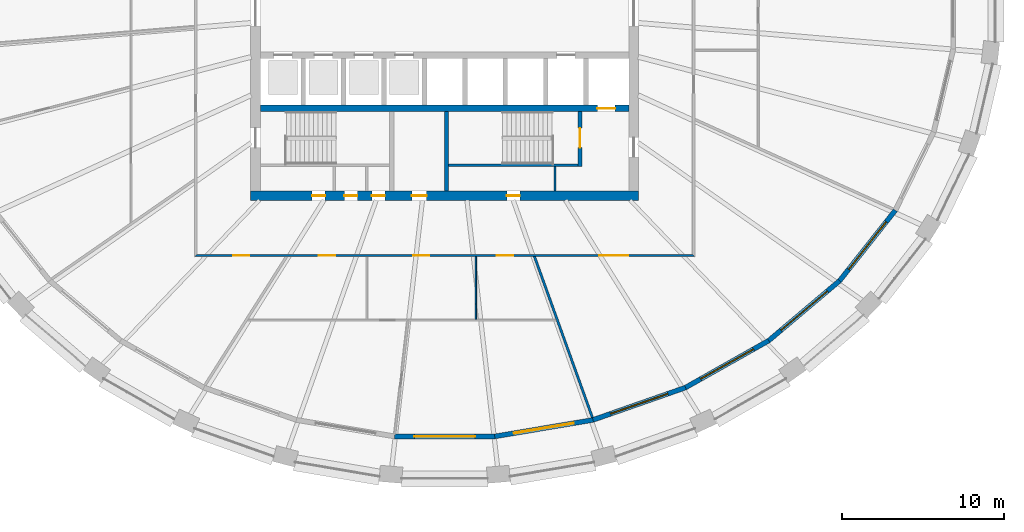
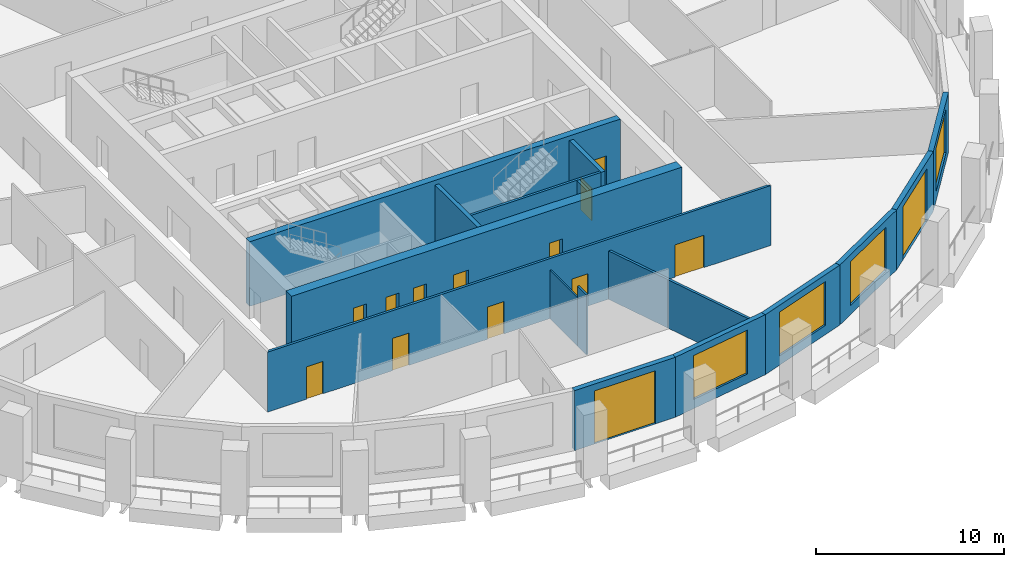
# One storey, part 4 of 11: 16 walls, 14 doors, 4 windows, 18 openings.
"""IFC4 building model written with IfcOpenShell, lengths in metres."""

import ifcopenshell
import ifcopenshell.guid

model = None  # the IFC model being written
_history = None  # IfcOwnerHistory: only IFC2X3 demands one
_inside = {}  # id of a spatial element -> (the spatial element, [elements in it])
_under = {}  # id of a project, library or spatial element -> (it, [spatial elements below it])
_declared = {}  # id of a project -> (the project, [libraries it declares])
_typed = {}  # id of a type object -> (the type object, [elements of that type])
_made_of = {}  # id of a material, layer set ... -> (it, [elements and type objects made of it])


def new_model(schema):
    """Start an empty IFC model of exactly this schema.

    Asked for "IFC4X3", IfcOpenShell would pick the latest addendum, in which some entities
    have other attributes; the version numbers below select the first issue.
    IFC2X3 requires an IfcOwnerHistory on every rooted entity: one is made here for all.
    """
    global model, _history
    if schema == "IFC4X3":
        model = ifcopenshell.file(schema_version=(4, 3, 0, 0))
    else:
        model = ifcopenshell.file(schema=schema)
    _inside.clear()
    _under.clear()
    _declared.clear()
    _typed.clear()
    _made_of.clear()
    _history = None
    if model.schema == "IFC2X3":
        org = make("IfcOrganization", Name="unknown")
        user = make(
            "IfcPersonAndOrganization",
            ThePerson=make("IfcPerson", FamilyName="unknown"),
            TheOrganization=org,
        )
        app = make(
            "IfcApplication",
            ApplicationDeveloper=org,
            Version="unknown",
            ApplicationFullName="unknown",
            ApplicationIdentifier="unknown",
        )
        _history = make(
            "IfcOwnerHistory",
            OwningUser=user,
            OwningApplication=app,
            ChangeAction="ADDED",
            CreationDate=0,
        )
    return model


def make(cls, **values):
    """One entity of the class cls with the attributes given. An attribute that is None is left unset."""
    return model.create_entity(
        cls, **{name: value for name, value in values.items() if value is not None}
    )


def rooted(cls, **values):
    """An entity with a GlobalId (a new one), such as an element, a storey or a relation."""
    return make(cls, GlobalId=ifcopenshell.guid.new(), OwnerHistory=_history, **values)


def si_unit(unit_type, name, prefix=None):
    """IfcSIUnit, for example si_unit("LENGTHUNIT", "METRE", prefix="MILLI")."""
    return make("IfcSIUnit", UnitType=unit_type, Prefix=prefix, Name=name)


def assignment(units):
    """IfcUnitAssignment: the units of a project."""
    return None if units is None else make("IfcUnitAssignment", Units=units)


def point(xyz):
    """IfcCartesianPoint."""
    return None if xyz is None else make("IfcCartesianPoint", Coordinates=xyz)


def direction(xyz):
    """IfcDirection."""
    return None if xyz is None else make("IfcDirection", DirectionRatios=xyz)


def frame(location, z_axis=None, x_axis=None):
    """IfcAxis2Placement3D, a coordinate frame: its origin and axes. An axis left out is left unset."""
    return make(
        "IfcAxis2Placement3D",
        Location=point(location),
        Axis=direction(z_axis),
        RefDirection=direction(x_axis),
    )


def frame_2d(location, x_axis=None):
    """IfcAxis2Placement2D, a coordinate frame in the plane: its origin and x axis."""
    return make(
        "IfcAxis2Placement2D", Location=point(location), RefDirection=direction(x_axis)
    )


def origin():
    """The frame at (0, 0, 0) with its axes left unset."""
    return frame((0.0, 0.0, 0.0))


def place(relative_to, where):
    """IfcLocalPlacement: puts the frame where relative to a parent placement (None: the world)."""
    return make(
        "IfcLocalPlacement", PlacementRelTo=relative_to, RelativePlacement=where
    )


def context(
    kind, dimensions, precision=None, world=None, true_north=None, identifier=None
):
    """IfcGeometricRepresentationContext, for example the 3D "Model" context."""
    return make(
        "IfcGeometricRepresentationContext",
        ContextIdentifier=identifier,
        ContextType=kind,
        CoordinateSpaceDimension=dimensions,
        Precision=precision,
        WorldCoordinateSystem=world,
        TrueNorth=true_north,
    )


def subcontext(parent, identifier, kind, view, scale=None):
    """IfcGeometricRepresentationSubContext, for example "Body" below "Model"."""
    return make(
        "IfcGeometricRepresentationSubContext",
        ContextIdentifier=identifier,
        ContextType=kind,
        ParentContext=parent,
        TargetScale=scale,
        TargetView=view,
    )


def project(units=None, contexts=None):
    """IfcProject with its units and contexts."""
    return rooted(
        "IfcProject",
        Name="project",
        RepresentationContexts=contexts,
        UnitsInContext=assignment(units),
    )


def spatial(cls, under=None, at=None, **own):
    """A site, building, storey or space (cls), placed at a placement, below another one or the project."""
    s = rooted(cls, ObjectPlacement=at, **own)
    if under is not None:
        _under.setdefault(under.id(), (under, []))[1].append(s)
    return s


def polyline(points):
    """IfcPolyline through the points."""
    return make("IfcPolyline", Points=[point(p) for p in points])


def profile(cls, at=None, kind="AREA", **sizes):
    """A parametric profile (cls). Its sizes go by their IFC names, for example OverallWidth=200.0."""
    return make(cls, ProfileType=kind, Position=at, **sizes)


def rectangle(**sizes):
    """IfcRectangleProfileDef."""
    return profile("IfcRectangleProfileDef", **sizes)


def outline(outer, holes=None, kind="AREA"):
    """IfcArbitraryClosedProfileDef: a profile drawn as a closed curve; with holes, ...WithVoids."""
    if holes is None:
        return make("IfcArbitraryClosedProfileDef", ProfileType=kind, OuterCurve=outer)
    return make(
        "IfcArbitraryProfileDefWithVoids",
        ProfileType=kind,
        OuterCurve=outer,
        InnerCurves=holes,
    )


def extrude(swept, where, along, depth):
    """IfcExtrudedAreaSolid: the profile swept, set in the frame where, extruded along a direction by depth."""
    return make(
        "IfcExtrudedAreaSolid",
        SweptArea=swept,
        Position=where,
        ExtrudedDirection=direction(along),
        Depth=depth,
    )


def shape(context_of_items, identifier, shape_type, items):
    """IfcShapeRepresentation: the items that make up one representation, for example the "Body"."""
    return make(
        "IfcShapeRepresentation",
        ContextOfItems=context_of_items,
        RepresentationIdentifier=identifier,
        RepresentationType=shape_type,
        Items=items,
    )


def material(Name=None, Category=None):
    """IfcMaterial."""
    return make("IfcMaterial", Name=Name, Category=Category)


def layer(
    of_material, thickness, ventilated=None, Name=None, Category=None, Priority=None
):
    """IfcMaterialLayer: one layer of a wall or slab, of a material (None: an air gap)."""
    return make(
        "IfcMaterialLayer",
        Material=of_material,
        LayerThickness=thickness,
        IsVentilated=ventilated,
        Name=Name,
        Category=Category,
        Priority=Priority,
    )


def layer_set(layers, Name=None):
    """IfcMaterialLayerSet."""
    return make("IfcMaterialLayerSet", MaterialLayers=layers, LayerSetName=Name)


def made_of(thing, what):
    """Note that an element or type object is made of a material, layer set ...; save() writes the relation."""
    if what is not None:
        _made_of.setdefault(what.id(), (what, []))[1].append(thing)
    return thing


def type_object(cls, material=None, **own):
    """A type object (cls), such as IfcWallType, which elements share."""
    return made_of(rooted(cls, **own), material)


def element(
    cls,
    number,
    at=None,
    inside=None,
    cuts=None,
    type_object=None,
    material=None,
    context=None,
    identifier="Body",
    shape_type=None,
    held_by="IfcProductDefinitionShape",
    body=None,
    shapes=None,
    **own,
):
    """One element of the class cls, such as IfcWall. Its Tag is "e" and its number.

    at: its placement. inside: the storey or other place that contains it. cuts: it is an
    opening in that element (IfcRelVoidsElement). A single representation is given by context,
    identifier, shape_type and body (its items); several are given by shapes. held_by: the class
    of the entity that holds the representations. save() writes the other relations.
    """
    e = rooted(cls, Tag="e%d" % number, ObjectPlacement=at, **own)
    if body is not None:
        shapes = [shape(context, identifier, shape_type, body)]
    if shapes is not None:
        e.Representation = make(held_by, Representations=shapes)
    if inside is not None:
        _inside.setdefault(inside.id(), (inside, []))[1].append(e)
    if cuts is not None:
        rooted(
            "IfcRelVoidsElement", RelatingBuildingElement=cuts, RelatedOpeningElement=e
        )
    if type_object is not None:
        _typed.setdefault(type_object.id(), (type_object, []))[1].append(e)
    return made_of(e, material)


def fill(opening, filler):
    """IfcRelFillsElement: the door or window that sits in an opening."""
    return rooted(
        "IfcRelFillsElement",
        RelatingOpeningElement=opening,
        RelatedBuildingElement=filler,
    )


def aggregate(whole, parts):
    """IfcRelAggregates: a whole, such as a stair, and the parts it consists of."""
    return rooted("IfcRelAggregates", RelatingObject=whole, RelatedObjects=parts)


def save(model, path):
    """Write the relations noted so far, then the file.

    IfcRelAggregates (storeys below a building ...), IfcRelContainedInSpatialStructure (elements
    in a storey), IfcRelDefinesByType, IfcRelAssociatesMaterial and IfcRelDeclares: one each for
    every whole, place, type object, material and project.
    """
    for whole, parts in _under.values():
        aggregate(whole, parts)
    for where, things in _inside.values():
        rooted(
            "IfcRelContainedInSpatialStructure",
            RelatedElements=things,
            RelatingStructure=where,
        )
    for kind, things in _typed.values():
        rooted("IfcRelDefinesByType", RelatedObjects=things, RelatingType=kind)
    for what, things in _made_of.values():
        rooted("IfcRelAssociatesMaterial", RelatedObjects=things, RelatingMaterial=what)
    for by, libraries in _declared.values():
        rooted("IfcRelDeclares", RelatingContext=by, RelatedDefinitions=libraries)
    model.write(path)


model = new_model("IFC4")

# Units and contexts
model_context = context("Model", 3, precision=1e-05, world=origin(), true_north=direction((0.0, 1.0)))
body_context = subcontext(model_context, "Body", "Model", "MODEL_VIEW")
ifc_project = project(units=[si_unit("LENGTHUNIT", "METRE"), si_unit("AREAUNIT", "SQUARE_METRE"), si_unit("VOLUMEUNIT", "CUBIC_METRE"), si_unit("PLANEANGLEUNIT", "RADIAN"), si_unit("MASSUNIT", "GRAM", prefix="KILO")], contexts=[model_context])

# Site, building, storey
site_placement = place(None, origin())
site = spatial("IfcSite", under=ifc_project, at=site_placement, CompositionType="ELEMENT")
building_placement = place(site_placement, origin())
building = spatial("IfcBuilding", under=site, at=building_placement, Name="Halqa Exchange Tower", CompositionType="ELEMENT")
storey_placement = place(building_placement, frame((0.0, 0.0, 150.699951171875)))
storey = spatial("IfcBuildingStorey", under=building, at=storey_placement, Name="L34", CompositionType="ELEMENT", Elevation=150.699951171875)

# Wall, openings, doors
ifc_material_1 = material(Name="Fire-rated gypsum board")
ifc_layer_1 = layer(ifc_material_1, 0.14990234375)
ifc_layer_set_1 = layer_set([ifc_layer_1], Name="Fire-rated gypsum board")
wall_type_1 = type_object("IfcWallType", Name="Fire partition EI 60 150", PredefinedType="PARTITIONING", material=ifc_layer_set_1)
wall_1_placement = place(storey_placement, frame((-15.47509765625, -15.39990234375, 0.0), z_axis=(0.0, 0.0, 1.0), x_axis=(1.0, 0.0, 0.0)))
wall_1 = element("IfcWall", 1, at=wall_1_placement, inside=storey, type_object=wall_type_1, Name="L34-PWL-008", PredefinedType="PARTITIONING", context=body_context, shape_type="SweptSolid", body=[
    extrude(outline(polyline([(0.000244140625, -0.074951171875), (1.9345703125, -0.074951171875), (3.868896484375, -0.074951171875), (5.80322265625, -0.074951171875), (7.73779296875, -0.074951171875), (9.672119140625, -0.074951171875), (11.6064453125, -0.074951171875), (13.540771484375, -0.074951171875), (15.47509765625, -0.074951171875), (17.409423828125, -0.074951171875), (19.34375, -0.074951171875), (21.278076171875, -0.074951171875), (23.21240234375, -0.074951171875), (25.14697265625, -0.074951171875), (27.081298828125, -0.074951171875), (29.015625, -0.074951171875), (30.949951171875, -0.074951171875), (30.800048828125, 0.074951171875), (28.884521484375, 0.074951171875), (26.96875, 0.074951171875), (25.05322265625, 0.074951171875), (23.1376953125, 0.074951171875), (21.221923828125, 0.074951171875), (19.306396484375, 0.074951171875), (17.390625, 0.074951171875), (15.47509765625, 0.074951171875), (13.5595703125, 0.074951171875), (11.643798828125, 0.074951171875), (9.728271484375, 0.074951171875), (7.8125, 0.074951171875), (5.89697265625, 0.074951171875), (3.9814453125, 0.074951171875), (2.065673828125, 0.074951171875), (0.150146484375, 0.074951171875), (0.000244140625, -0.074951171875)])), origin(), (0.0, 0.0, 1.0), 3.900146484375),
])
opening_1_placement = place(wall_1_placement, frame((2.39990234375, 0.0, 0.0)))
opening_1 = element("IfcOpeningElement", 2, at=opening_1_placement, cuts=wall_1, Name="Opening 10-11", PredefinedType="OPENING", context=body_context, shape_type="SweptSolid", body=[
    extrude(rectangle(XDim=1.0, YDim=2.10009765625, at=frame_2d((0.5, 1.050048828125))), frame((0.0, 0.0869140625, 0.0), z_axis=(0.0, -1.0, 0.0), x_axis=(1.0, 0.0, 0.0)), (0.0, 0.0, 1.0), 0.173828125),
])
opening_2_placement = place(wall_1_placement, frame((18.705078125, 0.0, 0.0)))
opening_2 = element("IfcOpeningElement", 3, at=opening_2_placement, cuts=wall_1, Name="Opening 10-12", PredefinedType="OPENING", context=body_context, shape_type="SweptSolid", body=[
    extrude(rectangle(XDim=1.0, YDim=2.10009765625, at=frame_2d((0.5, 1.050048828125))), frame((0.0, 0.0869140625, 0.0), z_axis=(0.0, -1.0, 0.0), x_axis=(1.0, 0.0, 0.0)), (0.0, 0.0, 1.0), 0.173828125),
])
opening_3_placement = place(wall_1_placement, frame((13.534912109375, 0.0, 0.0)))
opening_3 = element("IfcOpeningElement", 4, at=opening_3_placement, cuts=wall_1, Name="Opening 10-13", PredefinedType="OPENING", context=body_context, shape_type="SweptSolid", body=[
    extrude(rectangle(XDim=1.0, YDim=2.10009765625, at=frame_2d((0.5, 1.050048828125))), frame((0.0, 0.0869140625, 0.0), z_axis=(0.0, -1.0, 0.0), x_axis=(1.0, 0.0, 0.0)), (0.0, 0.0, 1.0), 0.173828125),
])
opening_4_placement = place(wall_1_placement, frame((7.695068359375, 0.0, 0.0)))
opening_4 = element("IfcOpeningElement", 5, at=opening_4_placement, cuts=wall_1, Name="Opening 10-14", PredefinedType="OPENING", context=body_context, shape_type="SweptSolid", body=[
    extrude(rectangle(XDim=1.0, YDim=2.10009765625, at=frame_2d((0.5, 1.050048828125))), frame((0.0, 0.0869140625, 0.0), z_axis=(0.0, -1.0, 0.0), x_axis=(1.0, 0.0, 0.0)), (0.0, 0.0, 1.0), 0.173828125),
])
opening_5_placement = place(wall_1_placement, frame((25.0400390625, 0.0, 0.0)))
opening_5 = element("IfcOpeningElement", 6, at=opening_5_placement, cuts=wall_1, Name="Opening 10-15", PredefinedType="OPENING", context=body_context, shape_type="SweptSolid", body=[
    extrude(rectangle(XDim=1.800048828125, YDim=2.10009765625, at=frame_2d((0.89990234375, 1.050048828125))), frame((0.0, 0.0869140625, 0.0), z_axis=(0.0, -1.0, 0.0), x_axis=(1.0, 0.0, 0.0)), (0.0, 0.0, 1.0), 0.173828125),
])
ifc_material_2 = material(Name="Steel fire door leaf", Category="steel")
door_type_1 = type_object("IfcDoorType", Name="Fire door FD30S 1000 x 2100", OperationType="SINGLE_SWING_LEFT", PredefinedType="DOOR", material=ifc_material_2)
door_1_placement = place(opening_1_placement, frame((1.0, 0.0, 0.0), z_axis=(0.0, 0.0, 1.0), x_axis=(-1.0, 0.0, 0.0)))
door_1 = element("IfcDoor", 7, at=door_1_placement, inside=storey, type_object=door_type_1, Name="L34-IDR-011", OperationType="SINGLE_SWING_RIGHT", OverallHeight=2.10009765625, OverallWidth=1.0, PredefinedType="DOOR", context=body_context, shape_type="SweptSolid", body=[
    extrude(rectangle(XDim=1.0, YDim=2.10009765625, at=frame_2d((0.5, 1.050048828125))), frame((0.0, 0.02490234375, 0.0), z_axis=(0.0, -1.0, 0.0), x_axis=(1.0, 0.0, 0.0)), (0.0, 0.0, 1.0), 0.050048828125),
])
fill(opening_1, door_1)
door_2_placement = place(opening_2_placement, frame((1.0, 0.0, 0.0), z_axis=(0.0, 0.0, 1.0), x_axis=(-1.0, 0.0, 0.0)))
door_2 = element("IfcDoor", 8, at=door_2_placement, inside=storey, type_object=door_type_1, Name="L34-IDR-012", OperationType="SINGLE_SWING_RIGHT", OverallHeight=2.10009765625, OverallWidth=1.0, PredefinedType="DOOR", context=body_context, shape_type="SweptSolid", body=[
    extrude(rectangle(XDim=1.0, YDim=2.10009765625, at=frame_2d((0.5, 1.050048828125))), frame((0.0, 0.02490234375, 0.0), z_axis=(0.0, -1.0, 0.0), x_axis=(1.0, 0.0, 0.0)), (0.0, 0.0, 1.0), 0.050048828125),
])
fill(opening_2, door_2)
door_3_placement = place(opening_3_placement, frame((1.0, 0.0, 0.0), z_axis=(0.0, 0.0, 1.0), x_axis=(-1.0, 0.0, 0.0)))
door_3 = element("IfcDoor", 9, at=door_3_placement, inside=storey, type_object=door_type_1, Name="L34-IDR-013", OperationType="SINGLE_SWING_RIGHT", OverallHeight=2.10009765625, OverallWidth=1.0, PredefinedType="DOOR", context=body_context, shape_type="SweptSolid", body=[
    extrude(rectangle(XDim=1.0, YDim=2.10009765625, at=frame_2d((0.5, 1.050048828125))), frame((0.0, 0.02490234375, 0.0), z_axis=(0.0, -1.0, 0.0), x_axis=(1.0, 0.0, 0.0)), (0.0, 0.0, 1.0), 0.050048828125),
])
fill(opening_3, door_3)
door_4_placement = place(opening_4_placement, frame((1.0, 0.0, 0.0), z_axis=(0.0, 0.0, 1.0), x_axis=(-1.0, 0.0, 0.0)))
door_4 = element("IfcDoor", 10, at=door_4_placement, inside=storey, type_object=door_type_1, Name="L34-IDR-014", OperationType="SINGLE_SWING_LEFT", OverallHeight=2.10009765625, OverallWidth=1.0, PredefinedType="DOOR", context=body_context, shape_type="SweptSolid", body=[
    extrude(rectangle(XDim=1.0, YDim=2.10009765625, at=frame_2d((0.5, 1.050048828125))), frame((0.0, 0.02490234375, 0.0), z_axis=(0.0, -1.0, 0.0), x_axis=(1.0, 0.0, 0.0)), (0.0, 0.0, 1.0), 0.050048828125),
])
fill(opening_4, door_4)
door_type_2 = type_object("IfcDoorType", Name="Fire door FD30S double 1800 x 2100", OperationType="DOUBLE_DOOR_SINGLE_SWING", PredefinedType="DOOR", material=ifc_material_2)
door_5_placement = place(opening_5_placement, frame((1.800048828125, 0.0, 0.0), z_axis=(0.0, 0.0, 1.0), x_axis=(-1.0, 0.0, 0.0)))
door_5 = element("IfcDoor", 11, at=door_5_placement, inside=storey, type_object=door_type_2, Name="L34-IDR-015", OperationType="DOUBLE_DOOR_SINGLE_SWING", OverallHeight=2.10009765625, OverallWidth=1.800048828125, PredefinedType="DOOR", context=body_context, shape_type="SweptSolid", body=[
    extrude(rectangle(XDim=1.800048828125, YDim=2.10009765625, at=frame_2d((0.89990234375, 1.050048828125))), frame((0.0, 0.02490234375, 0.0), z_axis=(0.0, -1.0, 0.0), x_axis=(1.0, 0.0, 0.0)), (0.0, 0.0, 1.0), 0.050048828125),
])
fill(opening_5, door_5)

# Walls
wall_2_placement = place(storey_placement, frame((5.5478515625, -15.449951171875, 0.0), z_axis=(0.0, 0.0, 1.0), x_axis=(0.338602834386, -0.940929391902, 0.0)))
element("IfcWall", 12, at=wall_2_placement, inside=storey, type_object=wall_type_1, Name="L34-PWL-021", PredefinedType="PARTITIONING", context=body_context, shape_type="SweptSolid", body=[
    extrude(outline(polyline([(0.0, -0.074951171875), (1.37255859375, -0.074951171875), (2.745361328125, -0.074951171875), (4.117919921875, -0.074951171875), (4.130126953125, -0.041259765625), (4.2236328125, -0.074951171875), (5.814453125, -0.074951171875), (7.405029296875, -0.074951171875), (8.995849609375, -0.074951171875), (10.58642578125, -0.074951171875), (10.599365234375, -0.003662109375), (10.599853515625, 0.048095703125), (10.599853515625, 0.074951171875), (8.842041015625, 0.074951171875), (7.08447265625, 0.074951171875), (5.32666015625, 0.074951171875), (3.569091796875, 0.074951171875), (1.811279296875, 0.074951171875), (0.0537109375, 0.074951171875), (0.0, -0.073974609375), (0.0, -0.074951171875)])), origin(), (0.0, 0.0, 1.0), 3.14697265625),
])
ifc_material_3 = material(Name="Gypsum board")
ifc_layer_2 = layer(ifc_material_3, 0.10009765625)
ifc_layer_set_2 = layer_set([ifc_layer_2], Name="Gypsum board")
wall_type_2 = type_object("IfcWallType", Name="Partition 100 gypsum", PredefinedType="PARTITIONING", material=ifc_layer_set_2)
wall_3_placement = place(storey_placement, frame((1.929931640625, -19.35009765625, 0.0), z_axis=(0.0, 0.0, 1.0), x_axis=(0.0, 1.0, 0.0)))
element("IfcWall", 13, at=wall_3_placement, inside=storey, type_object=wall_type_2, Name="L34-PWL-018", PredefinedType="PARTITIONING", context=body_context, shape_type="SweptSolid", body=[
    extrude(rectangle(XDim=0.9375, YDim=0.10009765625, at=frame_2d((0.46875, 0.0))), origin(), (0.0, 0.0, 1.0), 3.900146484375),
])
wall_4_placement = place(storey_placement, frame((1.929931640625, -18.41259765625, 0.0), z_axis=(0.0, 0.0, 1.0), x_axis=(0.0, 1.0, 0.0)))
element("IfcWall", 14, at=wall_4_placement, inside=storey, type_object=wall_type_2, Name="L34-PWL-030", PredefinedType="PARTITIONING", context=body_context, shape_type="SweptSolid", body=[
    extrude(rectangle(XDim=2.9375, YDim=0.10009765625, at=frame_2d((1.46875, 0.0))), origin(), (0.0, 0.0, 1.0), 3.14697265625),
])
ifc_layer_3 = layer(ifc_material_3, 0.14990234375)
ifc_layer_set_3 = layer_set([ifc_layer_3], Name="Gypsum board")
wall_type_3 = type_object("IfcWallType", Name="Penthouse riser wall 150 gypsum", PredefinedType="PARTITIONING", material=ifc_layer_set_3)
wall_5_placement = place(storey_placement, frame((6.824951171875, -11.39990234375, 0.0), z_axis=(0.0, 0.0, 1.0), x_axis=(0.0, 1.0, 0.0)))
element("IfcWall", 15, at=wall_5_placement, inside=storey, type_object=wall_type_3, Name="Firefighting lobby west wall S", PredefinedType="PARTITIONING", context=body_context, shape_type="SweptSolid", body=[
    extrude(rectangle(XDim=1.5, YDim=0.14990234375, at=frame_2d((0.75, 0.0))), origin(), (0.0, 0.0, 1.0), 3.900146484375),
])

# Wall, opening, door
ifc_material_4 = material(Name="Concrete C70/85", Category="concrete")
ifc_layer_4 = layer(ifc_material_4, 0.39990234375)
ifc_layer_set_4 = layer_set([ifc_layer_4], Name="Concrete C70/85")
wall_type_4 = type_object("IfcWallType", Name="RC core wall 400 C70/85", PredefinedType="SHEAR", material=ifc_layer_set_4)
wall_6_placement = place(storey_placement, frame((-11.39990234375, -6.300048828125, 0.0), z_axis=(0.0, 0.0, 1.0), x_axis=(1.0, 0.0, 0.0)))
wall_6 = element("IfcWall", 16, at=wall_6_placement, inside=storey, type_object=wall_type_4, Name="Lift row back wall S", PredefinedType="SHEAR", context=body_context, shape_type="SweptSolid", body=[
    extrude(rectangle(XDim=22.7998046875, YDim=0.39990234375, at=frame_2d((11.39990234375, 0.0))), origin(), (0.0, 0.0, 1.0), 4.199951171875),
])
opening_6_placement = place(wall_6_placement, frame((20.85009765625, 0.0, 0.0)))
opening_6 = element("IfcOpeningElement", 17, at=opening_6_placement, cuts=wall_6, Name="Opening LD-FF2-T10", PredefinedType="OPENING", context=body_context, shape_type="SweptSolid", body=[
    extrude(rectangle(XDim=1.10009765625, YDim=2.10009765625, at=frame_2d((0.550048828125, 1.050048828125))), frame((0.0, 0.2119140625, 0.0), z_axis=(0.0, -1.0, 0.0), x_axis=(1.0, 0.0, 0.0)), (0.0, 0.0, 1.0), 0.423828125),
])
ifc_material_5 = material(Name="Stainless steel", Category="steel")
door_type_3 = type_object("IfcDoorType", Name="Lift landing door 1100 x 2100", OperationType="SLIDING_TO_LEFT", PredefinedType="DOOR", material=ifc_material_5)
door_6_placement = place(opening_6_placement, origin())
door_6 = element("IfcDoor", 18, at=door_6_placement, inside=storey, type_object=door_type_3, Name="Lift landing door FF2", OperationType="SLIDING_TO_LEFT", OverallHeight=2.10009765625, OverallWidth=1.10009765625, PredefinedType="DOOR", context=body_context, shape_type="SweptSolid", body=[
    extrude(rectangle(XDim=1.10009765625, YDim=2.10009765625, at=frame_2d((0.550048828125, 1.050048828125))), frame((0.0, 0.02490234375, 0.0), z_axis=(0.0, -1.0, 0.0), x_axis=(1.0, 0.0, 0.0)), (0.0, 0.0, 1.0), 0.050048828125),
])
fill(opening_6, door_6)

# Wall, openings, doors
ifc_layer_5 = layer(ifc_material_4, 0.60009765625)
ifc_layer_set_5 = layer_set([ifc_layer_5], Name="Concrete C70/85")
wall_type_5 = type_object("IfcWallType", Name="RC core wall 600 C70/85", PredefinedType="SHEAR", material=ifc_layer_set_5)
wall_7_placement = place(storey_placement, frame((-12.0, -11.699951171875, 0.0), z_axis=(0.0, 0.0, 1.0), x_axis=(1.0, 0.0, 0.0)))
wall_7 = element("IfcWall", 19, at=wall_7_placement, inside=storey, type_object=wall_type_5, Name="Core wall south", PredefinedType="SHEAR", context=body_context, shape_type="SweptSolid", body=[
    extrude(rectangle(XDim=24.0, YDim=0.60009765625, at=frame_2d((12.0, 0.0))), origin(), (0.0, 0.0, 1.0), 4.199951171875),
])
opening_7_placement = place(wall_7_placement, frame((9.97509765625, 0.0, 0.0)))
opening_7 = element("IfcOpeningElement", 20, at=opening_7_placement, cuts=wall_7, Name="Opening T10-C26", PredefinedType="OPENING", context=body_context, shape_type="SweptSolid", body=[
    extrude(rectangle(XDim=0.89990234375, YDim=2.10009765625, at=frame_2d((0.449951171875, 1.050048828125))), frame((0.0, 0.31201171875, 0.0), z_axis=(0.0, -1.0, 0.0), x_axis=(1.0, 0.0, 0.0)), (0.0, 0.0, 1.0), 0.6240234375),
])
opening_8_placement = place(wall_7_placement, frame((3.800048828125, 0.0, 0.0)))
opening_8 = element("IfcOpeningElement", 21, at=opening_8_placement, cuts=wall_7, Name="Opening T10-C27", PredefinedType="OPENING", context=body_context, shape_type="SweptSolid", body=[
    extrude(rectangle(XDim=0.800048828125, YDim=2.10009765625, at=frame_2d((0.39990234375, 1.050048828125))), frame((0.0, 0.31201171875, 0.0), z_axis=(0.0, -1.0, 0.0), x_axis=(1.0, 0.0, 0.0)), (0.0, 0.0, 1.0), 0.6240234375),
])
opening_9_placement = place(wall_7_placement, frame((5.800048828125, 0.0, 0.0)))
opening_9 = element("IfcOpeningElement", 22, at=opening_9_placement, cuts=wall_7, Name="Opening T10-C28", PredefinedType="OPENING", context=body_context, shape_type="SweptSolid", body=[
    extrude(rectangle(XDim=0.800048828125, YDim=2.10009765625, at=frame_2d((0.39990234375, 1.050048828125))), frame((0.0, 0.31201171875, 0.0), z_axis=(0.0, -1.0, 0.0), x_axis=(1.0, 0.0, 0.0)), (0.0, 0.0, 1.0), 0.6240234375),
])
opening_10_placement = place(wall_7_placement, frame((7.5, 0.0, 0.0)))
opening_10 = element("IfcOpeningElement", 23, at=opening_10_placement, cuts=wall_7, Name="Opening T10-C29", PredefinedType="OPENING", context=body_context, shape_type="SweptSolid", body=[
    extrude(rectangle(XDim=0.800048828125, YDim=2.10009765625, at=frame_2d((0.39990234375, 1.050048828125))), frame((0.0, 0.31201171875, 0.0), z_axis=(0.0, -1.0, 0.0), x_axis=(1.0, 0.0, 0.0)), (0.0, 0.0, 1.0), 0.6240234375),
])
opening_11_placement = place(wall_7_placement, frame((15.85009765625, 0.0, 0.0)))
opening_11 = element("IfcOpeningElement", 24, at=opening_11_placement, cuts=wall_7, Name="Opening T10-C30", PredefinedType="OPENING", context=body_context, shape_type="SweptSolid", body=[
    extrude(rectangle(XDim=0.800048828125, YDim=2.10009765625, at=frame_2d((0.39990234375, 1.050048828125))), frame((0.0, 0.31201171875, 0.0), z_axis=(0.0, -1.0, 0.0), x_axis=(1.0, 0.0, 0.0)), (0.0, 0.0, 1.0), 0.6240234375),
])
ifc_material_6 = material(Name="Timber fire door leaf", Category="wood")
door_type_4 = type_object("IfcDoorType", Name="Core room door FD30 900 x 2100", OperationType="SINGLE_SWING_LEFT", PredefinedType="DOOR", material=ifc_material_6)
door_7_placement = place(opening_7_placement, origin())
door_7 = element("IfcDoor", 25, at=door_7_placement, inside=storey, type_object=door_type_4, Name="Core room door", OperationType="SINGLE_SWING_RIGHT", OverallHeight=2.10009765625, OverallWidth=0.89990234375, PredefinedType="DOOR", context=body_context, shape_type="SweptSolid", body=[
    extrude(rectangle(XDim=0.89990234375, YDim=2.10009765625, at=frame_2d((0.449951171875, 1.050048828125))), frame((0.0, 0.02490234375, 0.0), z_axis=(0.0, -1.0, 0.0), x_axis=(1.0, 0.0, 0.0)), (0.0, 0.0, 1.0), 0.050048828125),
])
fill(opening_7, door_7)
door_type_5 = type_object("IfcDoorType", Name="Riser door FD60 800 x 2100", OperationType="SINGLE_SWING_LEFT", PredefinedType="DOOR", material=ifc_material_2)
door_8_placement = place(opening_8_placement, origin())
door_8 = element("IfcDoor", 26, at=door_8_placement, inside=storey, type_object=door_type_5, Name="Core room door", OperationType="SINGLE_SWING_LEFT", OverallHeight=2.10009765625, OverallWidth=0.800048828125, PredefinedType="DOOR", context=body_context, shape_type="SweptSolid", body=[
    extrude(rectangle(XDim=0.800048828125, YDim=2.10009765625, at=frame_2d((0.39990234375, 1.050048828125))), frame((0.0, 0.02490234375, 0.0), z_axis=(0.0, -1.0, 0.0), x_axis=(1.0, 0.0, 0.0)), (0.0, 0.0, 1.0), 0.050048828125),
])
fill(opening_8, door_8)
door_9_placement = place(opening_9_placement, origin())
door_9 = element("IfcDoor", 27, at=door_9_placement, inside=storey, type_object=door_type_5, Name="Core room door", OperationType="SINGLE_SWING_LEFT", OverallHeight=2.10009765625, OverallWidth=0.800048828125, PredefinedType="DOOR", context=body_context, shape_type="SweptSolid", body=[
    extrude(rectangle(XDim=0.800048828125, YDim=2.10009765625, at=frame_2d((0.39990234375, 1.050048828125))), frame((0.0, 0.02490234375, 0.0), z_axis=(0.0, -1.0, 0.0), x_axis=(1.0, 0.0, 0.0)), (0.0, 0.0, 1.0), 0.050048828125),
])
fill(opening_9, door_9)
door_10_placement = place(opening_10_placement, origin())
door_10 = element("IfcDoor", 28, at=door_10_placement, inside=storey, type_object=door_type_5, Name="Core room door", OperationType="SINGLE_SWING_LEFT", OverallHeight=2.10009765625, OverallWidth=0.800048828125, PredefinedType="DOOR", context=body_context, shape_type="SweptSolid", body=[
    extrude(rectangle(XDim=0.800048828125, YDim=2.10009765625, at=frame_2d((0.39990234375, 1.050048828125))), frame((0.0, 0.02490234375, 0.0), z_axis=(0.0, -1.0, 0.0), x_axis=(1.0, 0.0, 0.0)), (0.0, 0.0, 1.0), 0.050048828125),
])
fill(opening_10, door_10)
door_11_placement = place(opening_11_placement, origin())
door_11 = element("IfcDoor", 29, at=door_11_placement, inside=storey, type_object=door_type_5, Name="Core room door", OperationType="SINGLE_SWING_LEFT", OverallHeight=2.10009765625, OverallWidth=0.800048828125, PredefinedType="DOOR", context=body_context, shape_type="SweptSolid", body=[
    extrude(rectangle(XDim=0.800048828125, YDim=2.10009765625, at=frame_2d((0.39990234375, 1.050048828125))), frame((0.0, 0.02490234375, 0.0), z_axis=(0.0, -1.0, 0.0), x_axis=(1.0, 0.0, 0.0)), (0.0, 0.0, 1.0), 0.050048828125),
])
fill(opening_11, door_11)

# Walls
ifc_material_7 = material(Name="Concrete C30/37", Category="concrete")
ifc_layer_6 = layer(ifc_material_7, 0.14990234375)
ifc_layer_set_6 = layer_set([ifc_layer_6], Name="Concrete C30/37")
wall_type_6 = type_object("IfcWallType", Name="RC stair wall 150 C30/37", PredefinedType="SHEAR", material=ifc_layer_set_6)
wall_8_placement = place(storey_placement, frame((0.25, -9.824951171875, 0.0), z_axis=(0.0, 0.0, 1.0), x_axis=(1.0, 0.0, 0.0)))
element("IfcWall", 30, at=wall_8_placement, inside=storey, type_object=wall_type_6, Name="Stair ST2 north wall S", PredefinedType="SHEAR", context=body_context, shape_type="SweptSolid", body=[
    extrude(rectangle(XDim=8.0, YDim=0.14990234375, at=frame_2d((4.0, 0.0))), origin(), (0.0, 0.0, 1.0), 3.900146484375),
])
ifc_layer_7 = layer(ifc_material_7, 0.25)
ifc_layer_set_7 = layer_set([ifc_layer_7], Name="Concrete C30/37")
wall_type_7 = type_object("IfcWallType", Name="RC stair wall 250 C30/37", PredefinedType="SHEAR", material=ifc_layer_set_7)
wall_9_placement = place(storey_placement, frame((0.125, -11.39990234375, 0.0), z_axis=(0.0, 0.0, 1.0), x_axis=(0.0, 1.0, 0.0)))
element("IfcWall", 31, at=wall_9_placement, inside=storey, type_object=wall_type_7, Name="Stair ST2 west wall S", PredefinedType="SHEAR", context=body_context, shape_type="SweptSolid", body=[
    extrude(rectangle(XDim=4.89990234375, YDim=0.25, at=frame_2d((2.449951171875, 0.0))), origin(), (0.0, 0.0, 1.0), 3.900146484375),
])

# Wall, opening, door
wall_10_placement = place(storey_placement, frame((8.375, -9.89990234375, 0.0), z_axis=(0.0, 0.0, 1.0), x_axis=(0.0, 1.0, 0.0)))
wall_10 = element("IfcWall", 32, at=wall_10_placement, inside=storey, type_object=wall_type_7, Name="Stair ST2 east wall S", PredefinedType="SHEAR", context=body_context, shape_type="SweptSolid", body=[
    extrude(rectangle(XDim=3.39990234375, YDim=0.25, at=frame_2d((1.699951171875, 0.0))), origin(), (0.0, 0.0, 1.0), 3.900146484375),
])
opening_12_placement = place(wall_10_placement, frame((1.175048828125, 0.0, 0.0)))
opening_12 = element("IfcOpeningElement", 33, at=opening_12_placement, cuts=wall_10, Name="Opening T10-C18", PredefinedType="OPENING", context=body_context, shape_type="SweptSolid", body=[
    extrude(rectangle(XDim=1.199951171875, YDim=2.10009765625, at=frame_2d((0.60009765625, 1.050048828125))), frame((0.0, 0.136962890625, 0.0), z_axis=(0.0, -1.0, 0.0), x_axis=(1.0, 0.0, 0.0)), (0.0, 0.0, 1.0), 0.27392578125),
])
door_type_6 = type_object("IfcDoorType", Name="Stair door FD90 1200 x 2100", OperationType="SINGLE_SWING_LEFT", PredefinedType="DOOR", material=ifc_material_2)
door_12_placement = place(opening_12_placement, origin())
door_12 = element("IfcDoor", 34, at=door_12_placement, inside=storey, type_object=door_type_6, Name="Stair door ST4", OperationType="SINGLE_SWING_RIGHT", OverallHeight=2.10009765625, OverallWidth=1.199951171875, PredefinedType="DOOR", context=body_context, shape_type="SweptSolid", body=[
    extrude(rectangle(XDim=1.199951171875, YDim=2.10009765625, at=frame_2d((0.60009765625, 1.050048828125))), frame((0.0, 0.02490234375, 0.0), z_axis=(0.0, -1.0, 0.0), x_axis=(1.0, 0.0, 0.0)), (0.0, 0.0, 1.0), 0.050048828125),
])
fill(opening_12, door_12)

ifc_material_8 = material(Name="Limestone cladding", Category="masonry")
ifc_layer_8 = layer(ifc_material_8, 0.0400390625)
ifc_material_9 = material(Name="Ventilated cavity")
ifc_layer_9 = layer(ifc_material_9, 0.030029296875, ventilated=True)
ifc_material_10 = material(Name="Mineral wool insulation")
ifc_layer_10 = layer(ifc_material_10, 0.10009765625)
ifc_layer_11 = layer(ifc_material_7, 0.10009765625)
ifc_material_11 = material(Name="Internal plaster")
ifc_layer_12 = layer(ifc_material_11, 0.030029296875)
ifc_layer_set_8 = layer_set([ifc_layer_8, ifc_layer_9, ifc_layer_10, ifc_layer_11, ifc_layer_12], Name="Stone-faced insulated wall 300")
wall_type_8 = type_object("IfcWallType", Name="Stone-faced insulated wall 300", PredefinedType="STANDARD", material=ifc_layer_set_8)
wall_11_placement = place(storey_placement, frame((-3.096435546875, -26.590576171875, 0.0), z_axis=(0.0, 0.0, 1.0), x_axis=(1.0, 0.0, 0.0)))
wall_11 = element("IfcWall", 35, at=wall_11_placement, inside=storey, type_object=wall_type_8, Name="Glass-line wall 24", PredefinedType="STANDARD", context=body_context, shape_type="SweptSolid", body=[
    extrude(outline(polyline([(-0.012451171875, -0.14990234375), (6.205322265625, -0.14990234375), (6.180419921875, 0.14990234375), (0.012451171875, 0.14990234375), (-0.012451171875, -0.14990234375)])), origin(), (0.0, 0.0, 1.0), 3.900146484375),
])
opening_13_placement = place(wall_11_placement, frame((1.221435546875, 0.0, 0.0)))
opening_13 = element("IfcOpeningElement", 36, at=opening_13_placement, cuts=wall_11, Name="Opening LG-F2-06", PredefinedType="OPENING", context=body_context, shape_type="SweptSolid", body=[
    extrude(rectangle(XDim=3.75, YDim=3.449951171875, at=frame_2d((1.875, 1.72509765625))), frame((0.0, 0.162109375, 0.0), z_axis=(0.0, -1.0, 0.0), x_axis=(1.0, 0.0, 0.0)), (0.0, 0.0, 1.0), 0.323974609375),
])
ifc_material_12 = material(Name="Clear low-emissivity glass in aluminium frame", Category="aluminium")
door_type_7 = type_object("IfcDoorType", Name="Glazed sliding loggia door 3750 x 3450", OperationType="DOUBLE_DOOR_SLIDING", PredefinedType="DOOR", material=ifc_material_12)
door_13_placement = place(opening_13_placement, origin())
door_13 = element("IfcDoor", 37, at=door_13_placement, inside=storey, type_object=door_type_7, Name="Loggia door 6", OperationType="DOUBLE_DOOR_SLIDING", OverallHeight=3.449951171875, OverallWidth=3.75, PredefinedType="DOOR", context=body_context, shape_type="SweptSolid", body=[
    extrude(rectangle(XDim=3.75, YDim=3.449951171875, at=frame_2d((1.875, 1.72509765625))), frame((0.0, 0.02490234375, 0.0), z_axis=(0.0, -1.0, 0.0), x_axis=(1.0, 0.0, 0.0)), (0.0, 0.0, 1.0), 0.050048828125),
])
fill(opening_13, door_13)

# Wall, opening, window
wall_12_placement = place(storey_placement, frame((3.096435546875, -26.590576171875, 0.0), z_axis=(0.0, 0.0, 1.0), x_axis=(0.986186393203, 0.165639360845, 0.0)))
wall_12 = element("IfcWall", 38, at=wall_12_placement, inside=storey, type_object=wall_type_8, Name="Glass-line wall 25", PredefinedType="STANDARD", context=body_context, shape_type="SweptSolid", body=[
    extrude(outline(polyline([(-0.012451171875, -0.14990234375), (6.17236328125, -0.14990234375), (6.14697265625, 0.14990234375), (0.012451171875, 0.14990234375), (-0.012451171875, -0.14990234375)])), origin(), (0.0, 0.0, 1.0), 3.900146484375),
])
opening_14_placement = place(wall_12_placement, frame((1.20458984375, 0.0, 0.60009765625)))
opening_14 = element("IfcOpeningElement", 39, at=opening_14_placement, cuts=wall_12, Name="Opening W-F2-25", PredefinedType="OPENING", context=body_context, shape_type="SweptSolid", body=[
    extrude(rectangle(XDim=3.75, YDim=2.85009765625, at=frame_2d((1.875, 1.425048828125))), frame((0.0, 0.162109375, 0.0), z_axis=(0.0, -1.0, 0.0), x_axis=(1.0, 0.0, 0.0)), (0.0, 0.0, 1.0), 0.323974609375),
])
window_type = type_object("IfcWindowType", Name="Fixed clear glazed window 3750 x 2850", PartitioningType="TRIPLE_PANEL_VERTICAL", PredefinedType="WINDOW", material=ifc_material_12)
window_1_placement = place(opening_14_placement, origin())
window_1 = element("IfcWindow", 40, at=window_1_placement, inside=storey, type_object=window_type, Name="Window 2", OverallHeight=2.85009765625, OverallWidth=3.75, PartitioningType="TRIPLE_PANEL_VERTICAL", PredefinedType="WINDOW", context=body_context, shape_type="SweptSolid", body=[
    extrude(rectangle(XDim=3.75, YDim=2.85009765625, at=frame_2d((1.875, 1.425048828125))), frame((0.0, 0.030029296875, 0.0), z_axis=(0.0, -1.0, 0.0), x_axis=(1.0, 0.0, 0.0)), (0.0, 0.0, 1.0), 0.06005859375),
])
fill(opening_14, window_1)

wall_13_placement = place(storey_placement, frame((9.1708984375, -25.5703125, 0.0), z_axis=(0.0, 0.0, 1.0), x_axis=(0.943925510212, 0.330158494016, 0.0)))
wall_13 = element("IfcWall", 41, at=wall_13_placement, inside=storey, type_object=wall_type_8, Name="Glass-line wall 26", PredefinedType="STANDARD", context=body_context, shape_type="SweptSolid", body=[
    extrude(outline(polyline([(-0.0126953125, -0.14990234375), (6.076416015625, -0.14990234375), (6.049560546875, 0.14990234375), (0.0126953125, 0.14990234375), (-0.0126953125, -0.14990234375)])), origin(), (0.0, 0.0, 1.0), 3.900146484375),
])
opening_15_placement = place(wall_13_placement, frame((1.156494140625, 0.0, 0.60009765625)))
opening_15 = element("IfcOpeningElement", 42, at=opening_15_placement, cuts=wall_13, Name="Opening W-F2-26", PredefinedType="OPENING", context=body_context, shape_type="SweptSolid", body=[
    extrude(rectangle(XDim=3.75, YDim=2.85009765625, at=frame_2d((1.875, 1.425048828125))), frame((0.0, 0.162109375, 0.0), z_axis=(0.0, -1.0, 0.0), x_axis=(1.0, 0.0, 0.0)), (0.0, 0.0, 1.0), 0.323974609375),
])
window_2_placement = place(opening_15_placement, origin())
window_2 = element("IfcWindow", 43, at=window_2_placement, inside=storey, type_object=window_type, Name="Window 2", OverallHeight=2.85009765625, OverallWidth=3.75, PartitioningType="TRIPLE_PANEL_VERTICAL", PredefinedType="WINDOW", context=body_context, shape_type="SweptSolid", body=[
    extrude(rectangle(XDim=3.75, YDim=2.85009765625, at=frame_2d((1.875, 1.425048828125))), frame((0.0, 0.030029296875, 0.0), z_axis=(0.0, -1.0, 0.0), x_axis=(1.0, 0.0, 0.0)), (0.0, 0.0, 1.0), 0.06005859375),
])
fill(opening_15, window_2)

wall_14_placement = place(storey_placement, frame((14.893798828125, -23.568603515625, 0.0), z_axis=(0.0, 0.0, 1.0), x_axis=(0.870912346166, 0.491438384028, 0.0)))
wall_14 = element("IfcWall", 44, at=wall_14_placement, inside=storey, type_object=wall_type_8, Name="Glass-line wall 27", PredefinedType="STANDARD", context=body_context, shape_type="SweptSolid", body=[
    extrude(outline(polyline([(-0.013427734375, -0.14990234375), (5.929931640625, -0.14990234375), (5.901611328125, 0.14990234375), (0.013427734375, 0.14990234375), (-0.013427734375, -0.14990234375)])), origin(), (0.0, 0.0, 1.0), 3.900146484375),
])
opening_16_placement = place(wall_14_placement, frame((1.0830078125, 0.0, 0.60009765625)))
opening_16 = element("IfcOpeningElement", 45, at=opening_16_placement, cuts=wall_14, Name="Opening W-F2-27", PredefinedType="OPENING", context=body_context, shape_type="SweptSolid", body=[
    extrude(rectangle(XDim=3.75, YDim=2.85009765625, at=frame_2d((1.875, 1.425048828125))), frame((0.0, 0.162109375, 0.0), z_axis=(0.0, -1.0, 0.0), x_axis=(1.0, 0.0, 0.0)), (0.0, 0.0, 1.0), 0.323974609375),
])
window_3_placement = place(opening_16_placement, origin())
window_3 = element("IfcWindow", 46, at=window_3_placement, inside=storey, type_object=window_type, Name="Window 2", OverallHeight=2.85009765625, OverallWidth=3.75, PartitioningType="TRIPLE_PANEL_VERTICAL", PredefinedType="WINDOW", context=body_context, shape_type="SweptSolid", body=[
    extrude(rectangle(XDim=3.75, YDim=2.85009765625, at=frame_2d((1.875, 1.425048828125))), frame((0.0, 0.030029296875, 0.0), z_axis=(0.0, -1.0, 0.0), x_axis=(1.0, 0.0, 0.0)), (0.0, 0.0, 1.0), 0.06005859375),
])
fill(opening_16, window_3)

# Wall, opening, door
wall_15_placement = place(storey_placement, frame((20.0458984375, -20.661376953125, 0.0), z_axis=(0.0, 0.0, 1.0), x_axis=(0.764047627809, 0.64515984255, 0.0)))
wall_15 = element("IfcWall", 47, at=wall_15_placement, inside=storey, type_object=wall_type_8, Name="Glass-line wall 28", PredefinedType="STANDARD", context=body_context, shape_type="SweptSolid", body=[
    extrude(outline(polyline([(-0.01416015625, -0.14990234375), (5.752685546875, -0.14990234375), (5.722412109375, 0.14990234375), (0.01416015625, 0.14990234375), (-0.01416015625, -0.14990234375)])), origin(), (0.0, 0.0, 1.0), 3.900146484375),
])
opening_17_placement = place(wall_15_placement, frame((0.99365234375, 0.0, 0.0)))
opening_17 = element("IfcOpeningElement", 48, at=opening_17_placement, cuts=wall_15, Name="Opening LG-F2-07", PredefinedType="OPENING", context=body_context, shape_type="SweptSolid", body=[
    extrude(rectangle(XDim=3.75, YDim=3.449951171875, at=frame_2d((1.875, 1.72509765625))), frame((0.0, 0.162109375, 0.0), z_axis=(0.0, -1.0, 0.0), x_axis=(1.0, 0.0, 0.0)), (0.0, 0.0, 1.0), 0.323974609375),
])
door_14_placement = place(opening_17_placement, origin())
door_14 = element("IfcDoor", 49, at=door_14_placement, inside=storey, type_object=door_type_7, Name="Loggia door 7", OperationType="DOUBLE_DOOR_SLIDING", OverallHeight=3.449951171875, OverallWidth=3.75, PredefinedType="DOOR", context=body_context, shape_type="SweptSolid", body=[
    extrude(rectangle(XDim=3.75, YDim=3.449951171875, at=frame_2d((1.875, 1.72509765625))), frame((0.0, 0.02490234375, 0.0), z_axis=(0.0, -1.0, 0.0), x_axis=(1.0, 0.0, 0.0)), (0.0, 0.0, 1.0), 0.050048828125),
])
fill(opening_17, door_14)

# Wall, opening, window
wall_16_placement = place(storey_placement, frame((24.4296875, -16.959716796875, 0.0), z_axis=(0.0, 0.0, 1.0), x_axis=(0.620520511988, 0.784190215574, 0.0)))
wall_16 = element("IfcWall", 50, at=wall_16_placement, inside=storey, type_object=wall_type_8, Name="Glass-line wall 29", PredefinedType="STANDARD", context=body_context, shape_type="SweptSolid", body=[
    extrude(outline(polyline([(-0.01513671875, -0.14990234375), (5.569580078125, -0.14990234375), (5.537353515625, 0.14990234375), (0.01513671875, 0.14990234375), (-0.01513671875, -0.14990234375)])), origin(), (0.0, 0.0, 1.0), 3.900146484375),
])
opening_18_placement = place(wall_16_placement, frame((0.901611328125, 0.0, 0.60009765625)))
opening_18 = element("IfcOpeningElement", 51, at=opening_18_placement, cuts=wall_16, Name="Opening W-F2-29", PredefinedType="OPENING", context=body_context, shape_type="SweptSolid", body=[
    extrude(rectangle(XDim=3.75, YDim=2.85009765625, at=frame_2d((1.875, 1.425048828125))), frame((0.0, 0.162109375, 0.0), z_axis=(0.0, -1.0, 0.0), x_axis=(1.0, 0.0, 0.0)), (0.0, 0.0, 1.0), 0.323974609375),
])
window_4_placement = place(opening_18_placement, origin())
window_4 = element("IfcWindow", 52, at=window_4_placement, inside=storey, type_object=window_type, Name="Window 2", OverallHeight=2.85009765625, OverallWidth=3.75, PartitioningType="TRIPLE_PANEL_VERTICAL", PredefinedType="WINDOW", context=body_context, shape_type="SweptSolid", body=[
    extrude(rectangle(XDim=3.75, YDim=2.85009765625, at=frame_2d((1.875, 1.425048828125))), frame((0.0, 0.030029296875, 0.0), z_axis=(0.0, -1.0, 0.0), x_axis=(1.0, 0.0, 0.0)), (0.0, 0.0, 1.0), 0.06005859375),
])
fill(opening_18, window_4)

save(model, "model.ifc")
